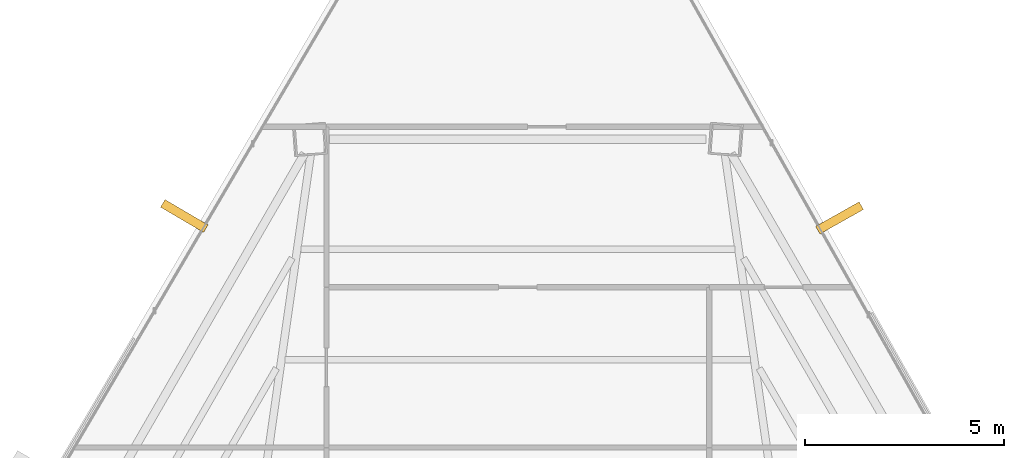
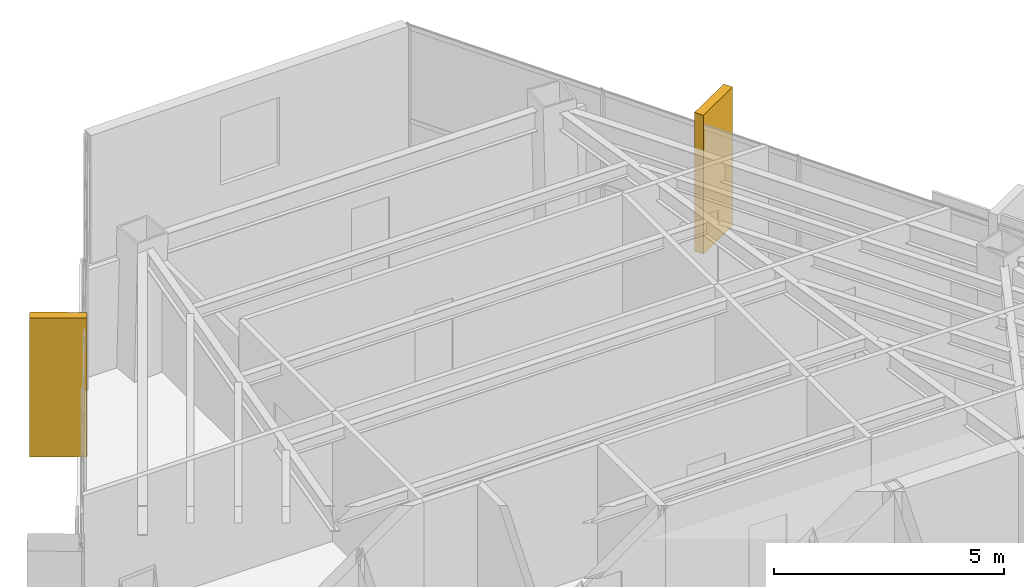
# One storey, part 44 of 44: 2 coverings.
"""IFC4 building model written with IfcOpenShell, lengths in metres."""

from ifc_helpers import new_model, si_unit, direction, frame, origin, origin_2d, place, context, subcontext, project, spatial, rectangle, extrude, source, transform, mapped, material, layer, layer_set, type_object, type_shapes, element, save


model = new_model("IFC4")

# Units and contexts
model_context = context("Model", 3, precision=1e-05, world=origin(), true_north=direction((0.0, 1.0)))
body_context = subcontext(model_context, "Body", "Model", "MODEL_VIEW")
ifc_project = project(units=[si_unit("LENGTHUNIT", "METRE"), si_unit("AREAUNIT", "SQUARE_METRE"), si_unit("VOLUMEUNIT", "CUBIC_METRE"), si_unit("PLANEANGLEUNIT", "RADIAN"), si_unit("MASSUNIT", "GRAM", prefix="KILO")], contexts=[model_context])

# Site, building, storey
site_placement = place(None, origin())
site = spatial("IfcSite", under=ifc_project, at=site_placement, CompositionType="ELEMENT")
building_placement = place(site_placement, origin())
building = spatial("IfcBuilding", under=site, at=building_placement, Name="Caelisora Broadcast Tower", CompositionType="ELEMENT")
storey_placement = place(building_placement, frame((0.0, 0.0, 198.64990234375)))
storey = spatial("IfcBuildingStorey", under=building, at=storey_placement, Name="L52", CompositionType="ELEMENT", Elevation=198.64990234375)

# Coverings
ifc_material = material(Name="Kiln-Fired Terracotta Spandrel Rainscreen Cladding", Category="ceramic")
ifc_layer = layer(ifc_material, 0.044921875, Name="Kiln-Fired Terracotta Spandrel Rainscreen Cladding")
ifc_layer_set = layer_set([ifc_layer], Name="Kiln-Fired Terracotta Spandrel Rainscreen Cladding")
covering_type = type_object("IfcCoveringType", Name="CL-1", PredefinedType="CLADDING", material=ifc_layer_set)
shared_shape = source(origin(), body_context, "Body", "SweptSolid", [
    extrude(rectangle(XDim=0.219970703125, YDim=1.25, at=origin_2d()), origin(), (0.0, 0.0, 1.0), 3.68994140625),
])
type_shapes(covering_type, [shared_shape])
for number, where, z_axis, x_axis, name in (
    (1, (46.064208984375, 44.605712890625, -0.019775390625), (0.0, 0.0, 1.0), (0.490903753615, -0.87121381112, 0.0), "L52 vertical solar fin cladding #1-1"),
    (2, (29.638916015625, 44.65380859375, -0.019775390625), (0.0, 0.0, 1.0), (0.506334807353, 0.862336977557, 0.0), "L52 vertical solar fin cladding #3-4"),
):
    element("IfcCovering", number, at=place(storey_placement, frame(where, z_axis=z_axis, x_axis=x_axis)), inside=storey, type_object=covering_type, Name=name, PredefinedType="CLADDING", context=body_context, shape_type="MappedRepresentation", body=[
        mapped(shared_shape, transform((0.0, 0.0, 0.0), scale=1.0)),
    ])

save(model, "model.ifc")
